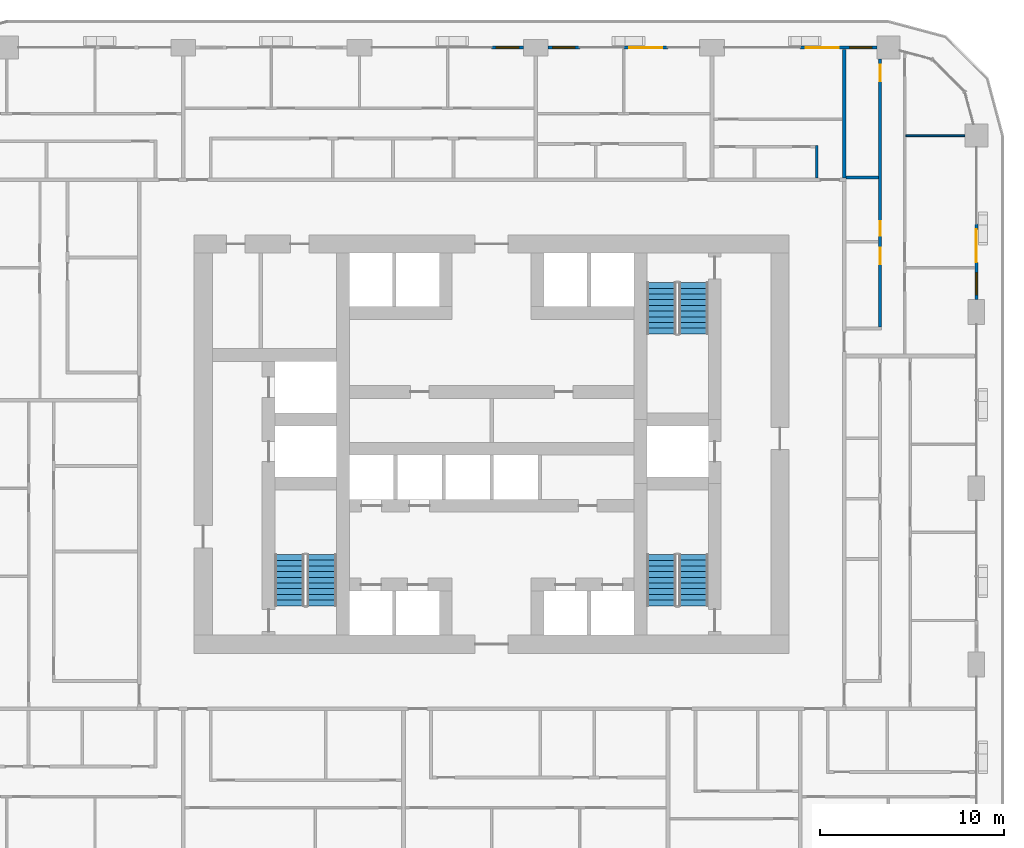
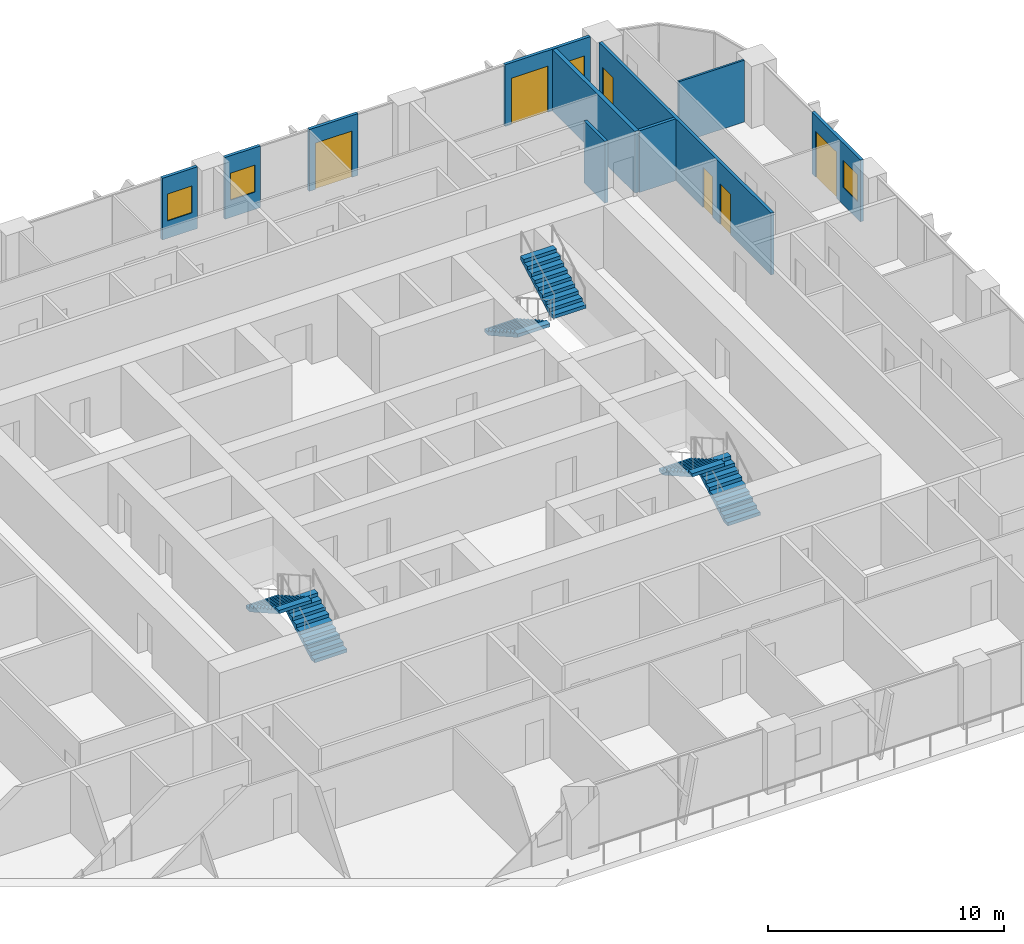
# One storey, part 15 of 21: 10 walls, 6 doors, 6 stair flights, 4 windows, 10 openings, 3 elements without a shape of their own.
"""IFC4 building model written with IfcOpenShell, lengths in metres."""

from ifc_helpers import new_model, si_unit, direction, frame, frame_2d, origin, place, context, subcontext, project, spatial, polyline, rectangle, outline, extrude, material, layer, layer_set, type_object, element, fill, aggregate, save


model = new_model("IFC4")

# Units and contexts
model_context = context("Model", 3, precision=1e-05, world=origin(), true_north=direction((0.0, 1.0)))
body_context = subcontext(model_context, "Body", "Model", "MODEL_VIEW")
ifc_project = project(units=[si_unit("LENGTHUNIT", "METRE"), si_unit("AREAUNIT", "SQUARE_METRE"), si_unit("VOLUMEUNIT", "CUBIC_METRE"), si_unit("PLANEANGLEUNIT", "RADIAN"), si_unit("MASSUNIT", "GRAM", prefix="KILO")], contexts=[model_context])

# Site, building, storey
site_placement = place(None, origin())
site = spatial("IfcSite", under=ifc_project, at=site_placement, CompositionType="ELEMENT")
building_placement = place(site_placement, origin())
building = spatial("IfcBuilding", under=site, at=building_placement, Name="Madar Terraces", CompositionType="ELEMENT")
storey_placement = place(building_placement, frame((0.0, 0.0, 29.39990234375)))
storey = spatial("IfcBuildingStorey", under=building, at=storey_placement, Name="L06", CompositionType="ELEMENT", Elevation=29.39990234375)

# Wall, openings, door, window
ifc_material_1 = material(Name="Aluminium composite panel, black, over insulated backing", Category="aluminium")
ifc_layer_1 = layer(ifc_material_1, 0.14990234375)
ifc_layer_set_1 = layer_set([ifc_layer_1], Name="Facade bay panel 150")
wall_type_1 = type_object("IfcWallType", Name="Facade bay panel 150", PredefinedType="SOLIDWALL", material=ifc_layer_set_1)
wall_1_placement = place(storey_placement, frame((57.60009765625, 34.27490234375, 0.0), z_axis=(0.0, 0.0, 1.0), x_axis=(0.0, 1.0, 0.0)))
wall_1 = element("IfcWall", 1, at=wall_1_placement, inside=storey, type_object=wall_type_1, Name="Facade bay panel", PredefinedType="SOLIDWALL", context=body_context, shape_type="SweptSolid", body=[
    extrude(rectangle(XDim=4.125, YDim=0.14990234375, at=frame_2d((2.0625, 0.0))), origin(), (0.0, 0.0, 1.0), 3.2001953125),
])
opening_1_placement = place(wall_1_placement, frame((0.262451171875, 0.0, 0.89990234375)))
opening_1 = element("IfcOpeningElement", 2, at=opening_1_placement, cuts=wall_1, Name="Opening W1", PredefinedType="OPENING", context=body_context, shape_type="SweptSolid", body=[
    extrude(rectangle(XDim=1.199951171875, YDim=1.39990234375, at=frame_2d((0.60009765625, 0.699951171875))), frame((0.0, 0.0849609375, 0.0), z_axis=(0.0, -1.0, 0.0), x_axis=(1.0, 0.0, 0.0)), (0.0, 0.0, 1.0), 0.169921875),
])
opening_2_placement = place(wall_1_placement, frame((2.02490234375, 0.0, 0.0)))
opening_2 = element("IfcOpeningElement", 3, at=opening_2_placement, cuts=wall_1, Name="Opening ED1", PredefinedType="OPENING", context=body_context, shape_type="SweptSolid", body=[
    extrude(rectangle(XDim=1.800048828125, YDim=2.39990234375, at=frame_2d((0.89990234375, 1.199951171875))), frame((0.0, 0.0849609375, 0.0), z_axis=(0.0, -1.0, 0.0), x_axis=(1.0, 0.0, 0.0)), (0.0, 0.0, 1.0), 0.169921875),
])
ifc_material_2 = material(Name="Glass, clear, with black aluminium frame", Category="aluminium")
door_type_1 = type_object("IfcDoorType", Name="Balcony and terrace sliding door 1800 x 2400", OperationType="SLIDING_TO_LEFT", PredefinedType="DOOR", material=ifc_material_2)
door_1_placement = place(opening_2_placement, origin())
door_1 = element("IfcDoor", 4, at=door_1_placement, inside=storey, type_object=door_type_1, Name="Balcony door", OperationType="SLIDING_TO_RIGHT", OverallHeight=2.39990234375, OverallWidth=1.800048828125, PredefinedType="DOOR", context=body_context, shape_type="SweptSolid", body=[
    extrude(rectangle(XDim=1.800048828125, YDim=2.39990234375, at=frame_2d((0.89990234375, 1.199951171875))), frame((0.0, 0.02490234375, 0.0), z_axis=(0.0, -1.0, 0.0), x_axis=(1.0, 0.0, 0.0)), (0.0, 0.0, 1.0), 0.050048828125),
])
fill(opening_2, door_1)
ifc_material_3 = material(Name="Glass, clear, with black aluminium frame", Category="aluminium")
window_type = type_object("IfcWindowType", Name="Vent window 1200 x 1400", PartitioningType="SINGLE_PANEL", PredefinedType="WINDOW", material=ifc_material_3)
window_1_placement = place(opening_1_placement, origin())
window_1 = element("IfcWindow", 5, at=window_1_placement, inside=storey, type_object=window_type, Name="Operable vent window", OverallHeight=1.39990234375, OverallWidth=1.199951171875, PartitioningType="SINGLE_PANEL", PredefinedType="WINDOW", context=body_context, shape_type="SweptSolid", body=[
    extrude(rectangle(XDim=1.199951171875, YDim=1.39990234375, at=frame_2d((0.60009765625, 0.699951171875))), frame((0.0, 0.030029296875, 0.0), z_axis=(0.0, -1.0, 0.0), x_axis=(1.0, 0.0, 0.0)), (0.0, 0.0, 1.0), 0.06005859375),
])
fill(opening_1, window_1)

wall_2_placement = place(storey_placement, frame((52.175048828125, 48.0, 0.0), z_axis=(0.0, 0.0, 1.0), x_axis=(-1.0, 0.0, 0.0)))
wall_2 = element("IfcWall", 6, at=wall_2_placement, inside=storey, type_object=wall_type_1, Name="Facade bay panel", PredefinedType="SOLIDWALL", context=body_context, shape_type="SweptSolid", body=[
    extrude(rectangle(XDim=4.175048828125, YDim=0.14990234375, at=frame_2d((2.08740234375, 0.0))), origin(), (0.0, 0.0, 1.0), 3.2001953125),
])
opening_3_placement = place(wall_2_placement, frame((0.28759765625, 0.0, 0.89990234375)))
opening_3 = element("IfcOpeningElement", 7, at=opening_3_placement, cuts=wall_2, Name="Opening W1", PredefinedType="OPENING", context=body_context, shape_type="SweptSolid", body=[
    extrude(rectangle(XDim=1.199951171875, YDim=1.39990234375, at=frame_2d((0.60009765625, 0.699951171875))), frame((0.0, 0.0849609375, 0.0), z_axis=(0.0, -1.0, 0.0), x_axis=(1.0, 0.0, 0.0)), (0.0, 0.0, 1.0), 0.169921875),
])
opening_4_placement = place(wall_2_placement, frame((2.074951171875, 0.0, 0.0)))
opening_4 = element("IfcOpeningElement", 8, at=opening_4_placement, cuts=wall_2, Name="Opening ED1", PredefinedType="OPENING", context=body_context, shape_type="SweptSolid", body=[
    extrude(rectangle(XDim=1.800048828125, YDim=2.39990234375, at=frame_2d((0.89990234375, 1.199951171875))), frame((0.0, 0.0849609375, 0.0), z_axis=(0.0, -1.0, 0.0), x_axis=(1.0, 0.0, 0.0)), (0.0, 0.0, 1.0), 0.169921875),
])
door_2_placement = place(opening_4_placement, origin())
door_2 = element("IfcDoor", 9, at=door_2_placement, inside=storey, type_object=door_type_1, Name="Balcony door", OperationType="SLIDING_TO_LEFT", OverallHeight=2.39990234375, OverallWidth=1.800048828125, PredefinedType="DOOR", context=body_context, shape_type="SweptSolid", body=[
    extrude(rectangle(XDim=1.800048828125, YDim=2.39990234375, at=frame_2d((0.89990234375, 1.199951171875))), frame((0.0, 0.02490234375, 0.0), z_axis=(0.0, -1.0, 0.0), x_axis=(1.0, 0.0, 0.0)), (0.0, 0.0, 1.0), 0.050048828125),
])
fill(opening_4, door_2)
window_2_placement = place(opening_3_placement, origin())
window_2 = element("IfcWindow", 10, at=window_2_placement, inside=storey, type_object=window_type, Name="Operable vent window", OverallHeight=1.39990234375, OverallWidth=1.199951171875, PartitioningType="SINGLE_PANEL", PredefinedType="WINDOW", context=body_context, shape_type="SweptSolid", body=[
    extrude(rectangle(XDim=1.199951171875, YDim=1.39990234375, at=frame_2d((0.60009765625, 0.699951171875))), frame((0.0, 0.030029296875, 0.0), z_axis=(0.0, -1.0, 0.0), x_axis=(1.0, 0.0, 0.0)), (0.0, 0.0, 1.0), 0.06005859375),
])
fill(opening_3, window_2)

# Wall, opening, door
wall_3_placement = place(storey_placement, frame((40.800048828125, 48.0, 0.0), z_axis=(0.0, 0.0, 1.0), x_axis=(-1.0, 0.0, 0.0)))
wall_3 = element("IfcWall", 11, at=wall_3_placement, inside=storey, type_object=wall_type_1, Name="Facade bay panel", PredefinedType="SOLIDWALL", context=body_context, shape_type="SweptSolid", body=[
    extrude(rectangle(XDim=2.400146484375, YDim=0.14990234375, at=frame_2d((1.2001953125, 0.0))), origin(), (0.0, 0.0, 1.0), 3.2001953125),
])
opening_5_placement = place(wall_3_placement, frame((0.300048828125, 0.0, 0.0)))
opening_5 = element("IfcOpeningElement", 12, at=opening_5_placement, cuts=wall_3, Name="Opening ED1", PredefinedType="OPENING", context=body_context, shape_type="SweptSolid", body=[
    extrude(rectangle(XDim=1.800048828125, YDim=2.39990234375, at=frame_2d((0.89990234375, 1.199951171875))), frame((0.0, 0.0849609375, 0.0), z_axis=(0.0, -1.0, 0.0), x_axis=(1.0, 0.0, 0.0)), (0.0, 0.0, 1.0), 0.169921875),
])
door_3_placement = place(opening_5_placement, origin())
door_3 = element("IfcDoor", 13, at=door_3_placement, inside=storey, type_object=door_type_1, Name="Balcony door", OperationType="SLIDING_TO_RIGHT", OverallHeight=2.39990234375, OverallWidth=1.800048828125, PredefinedType="DOOR", context=body_context, shape_type="SweptSolid", body=[
    extrude(rectangle(XDim=1.800048828125, YDim=2.39990234375, at=frame_2d((0.89990234375, 1.199951171875))), frame((0.0, 0.02490234375, 0.0), z_axis=(0.0, -1.0, 0.0), x_axis=(1.0, 0.0, 0.0)), (0.0, 0.0, 1.0), 0.050048828125),
])
fill(opening_5, door_3)

# Wall, opening, window
wall_4_placement = place(storey_placement, frame((36.0, 48.0, 0.0), z_axis=(0.0, 0.0, 1.0), x_axis=(-1.0, 0.0, 0.0)))
wall_4 = element("IfcWall", 14, at=wall_4_placement, inside=storey, type_object=wall_type_1, Name="Facade bay panel", PredefinedType="SOLIDWALL", context=body_context, shape_type="SweptSolid", body=[
    extrude(rectangle(XDim=1.72509765625, YDim=0.14990234375, at=frame_2d((0.862548828125, 0.0))), origin(), (0.0, 0.0, 1.0), 3.2001953125),
])
opening_6_placement = place(wall_4_placement, frame((0.262451171875, 0.0, 0.89990234375)))
opening_6 = element("IfcOpeningElement", 15, at=opening_6_placement, cuts=wall_4, Name="Opening W1", PredefinedType="OPENING", context=body_context, shape_type="SweptSolid", body=[
    extrude(rectangle(XDim=1.199951171875, YDim=1.39990234375, at=frame_2d((0.60009765625, 0.699951171875))), frame((0.0, 0.0849609375, 0.0), z_axis=(0.0, -1.0, 0.0), x_axis=(1.0, 0.0, 0.0)), (0.0, 0.0, 1.0), 0.169921875),
])
window_3_placement = place(opening_6_placement, origin())
window_3 = element("IfcWindow", 16, at=window_3_placement, inside=storey, type_object=window_type, Name="Operable vent window", OverallHeight=1.39990234375, OverallWidth=1.199951171875, PartitioningType="SINGLE_PANEL", PredefinedType="WINDOW", context=body_context, shape_type="SweptSolid", body=[
    extrude(rectangle(XDim=1.199951171875, YDim=1.39990234375, at=frame_2d((0.60009765625, 0.699951171875))), frame((0.0, 0.030029296875, 0.0), z_axis=(0.0, -1.0, 0.0), x_axis=(1.0, 0.0, 0.0)), (0.0, 0.0, 1.0), 0.06005859375),
])
fill(opening_6, window_3)

wall_5_placement = place(storey_placement, frame((32.925048828125, 48.0, 0.0), z_axis=(0.0, 0.0, 1.0), x_axis=(-1.0, 0.0, 0.0)))
wall_5 = element("IfcWall", 17, at=wall_5_placement, inside=storey, type_object=wall_type_1, Name="Facade bay panel", PredefinedType="SOLIDWALL", context=body_context, shape_type="SweptSolid", body=[
    extrude(rectangle(XDim=1.72509765625, YDim=0.14990234375, at=frame_2d((0.862548828125, 0.0))), origin(), (0.0, 0.0, 1.0), 3.2001953125),
])
opening_7_placement = place(wall_5_placement, frame((0.262451171875, 0.0, 0.89990234375)))
opening_7 = element("IfcOpeningElement", 18, at=opening_7_placement, cuts=wall_5, Name="Opening W1", PredefinedType="OPENING", context=body_context, shape_type="SweptSolid", body=[
    extrude(rectangle(XDim=1.199951171875, YDim=1.39990234375, at=frame_2d((0.60009765625, 0.699951171875))), frame((0.0, 0.0849609375, 0.0), z_axis=(0.0, -1.0, 0.0), x_axis=(1.0, 0.0, 0.0)), (0.0, 0.0, 1.0), 0.169921875),
])
window_4_placement = place(opening_7_placement, origin())
window_4 = element("IfcWindow", 19, at=window_4_placement, inside=storey, type_object=window_type, Name="Operable vent window", OverallHeight=1.39990234375, OverallWidth=1.199951171875, PartitioningType="SINGLE_PANEL", PredefinedType="WINDOW", context=body_context, shape_type="SweptSolid", body=[
    extrude(rectangle(XDim=1.199951171875, YDim=1.39990234375, at=frame_2d((0.60009765625, 0.699951171875))), frame((0.0, 0.030029296875, 0.0), z_axis=(0.0, -1.0, 0.0), x_axis=(1.0, 0.0, 0.0)), (0.0, 0.0, 1.0), 0.06005859375),
])
fill(opening_7, window_4)

# Walls
ifc_material_4 = material(Name="Gypsum board on steel studs", Category="steel")
ifc_layer_2 = layer(ifc_material_4, 0.10009765625)
ifc_layer_set_2 = layer_set([ifc_layer_2], Name="Flat partition 100")
wall_type_2 = type_object("IfcWallType", Name="Flat partition 100", PredefinedType="PARTITIONING", material=ifc_layer_set_2)
wall_6_placement = place(storey_placement, frame((53.75, 43.199951171875, 0.0), z_axis=(0.0, 0.0, 1.0), x_axis=(1.0, 0.0, 0.0)))
element("IfcWall", 20, at=wall_6_placement, inside=storey, type_object=wall_type_2, Name="Flat partition 100", PredefinedType="PARTITIONING", context=body_context, shape_type="SweptSolid", body=[
    extrude(rectangle(XDim=3.22509765625, YDim=0.10009765625, at=frame_2d((1.612548828125, 0.0))), origin(), (0.0, 0.0, 1.0), 3.2001953125),
])
ifc_material_5 = material(Name="Lightweight blockwork", Category="masonry")
ifc_layer_3 = layer(ifc_material_5, 0.199951171875)
ifc_layer_set_3 = layer_set([ifc_layer_3], Name="Flat party and entrance wall 200")
wall_type_3 = type_object("IfcWallType", Name="Flat party and entrance wall 200", PredefinedType="PARTITIONING", material=ifc_layer_set_3)
wall_7_placement = place(storey_placement, frame((50.39990234375, 40.89990234375, 0.0), z_axis=(0.0, 0.0, 1.0), x_axis=(0.0, 1.0, 0.0)))
element("IfcWall", 21, at=wall_7_placement, inside=storey, type_object=wall_type_3, Name="Flat party and entrance wall 200", PredefinedType="PARTITIONING", context=body_context, shape_type="SweptSolid", body=[
    extrude(rectangle(XDim=7.0, YDim=0.199951171875, at=frame_2d((3.5, 0.0))), origin(), (0.0, 0.0, 1.0), 3.2001953125),
])
ifc_material_6 = material(Name="Lightweight blockwork", Category="masonry")
ifc_layer_4 = layer(ifc_material_6, 0.14990234375)
ifc_layer_set_4 = layer_set([ifc_layer_4], Name="Flat wet-room partition 150")
wall_type_4 = type_object("IfcWallType", Name="Flat wet-room partition 150", PredefinedType="PARTITIONING", material=ifc_layer_set_4)
wall_8_placement = place(storey_placement, frame((50.5, 40.919189453125, 0.0), z_axis=(0.0, 0.0, 1.0), x_axis=(1.0, 0.0, 0.0)))
element("IfcWall", 22, at=wall_8_placement, inside=storey, type_object=wall_type_4, Name="Flat wet-room partition 150", PredefinedType="PARTITIONING", context=body_context, shape_type="SweptSolid", body=[
    extrude(rectangle(XDim=1.77490234375, YDim=0.14990234375, at=frame_2d((0.887451171875, 0.0))), origin(), (0.0, 0.0, 1.0), 3.2001953125),
])

# Wall, openings, doors
wall_9_placement = place(storey_placement, frame((52.35009765625, 32.77490234375, 0.0), z_axis=(0.0, 0.0, 1.0), x_axis=(0.0, 1.0, 0.0)))
wall_9 = element("IfcWall", 23, at=wall_9_placement, inside=storey, type_object=wall_type_4, Name="Flat wet-room partition 150", PredefinedType="PARTITIONING", context=body_context, shape_type="SweptSolid", body=[
    extrude(rectangle(XDim=14.60009765625, YDim=0.14990234375, at=frame_2d((7.300048828125, 0.0))), origin(), (0.0, 0.0, 1.0), 3.2001953125),
])
opening_8_placement = place(wall_9_placement, frame((3.4287109375, 0.0, 0.0)))
opening_8 = element("IfcOpeningElement", 24, at=opening_8_placement, cuts=wall_9, Name="Opening D5", PredefinedType="OPENING", context=body_context, shape_type="SweptSolid", body=[
    extrude(rectangle(XDim=0.89990234375, YDim=2.10009765625, at=frame_2d((0.449951171875, 1.050048828125))), frame((0.0, 0.0849609375, 0.0), z_axis=(0.0, -1.0, 0.0), x_axis=(1.0, 0.0, 0.0)), (0.0, 0.0, 1.0), 0.169921875),
])
opening_9_placement = place(wall_9_placement, frame((4.978759765625, 0.0, 0.0)))
opening_9 = element("IfcOpeningElement", 25, at=opening_9_placement, cuts=wall_9, Name="Opening D4", PredefinedType="OPENING", context=body_context, shape_type="SweptSolid", body=[
    extrude(rectangle(XDim=0.800048828125, YDim=2.10009765625, at=frame_2d((0.39990234375, 1.050048828125))), frame((0.0, 0.0849609375, 0.0), z_axis=(0.0, -1.0, 0.0), x_axis=(1.0, 0.0, 0.0)), (0.0, 0.0, 1.0), 0.169921875),
])
opening_10_placement = place(wall_9_placement, frame((13.39990234375, 0.0, 0.0)))
opening_10 = element("IfcOpeningElement", 26, at=opening_10_placement, cuts=wall_9, Name="Opening D2", PredefinedType="OPENING", context=body_context, shape_type="SweptSolid", body=[
    extrude(rectangle(XDim=0.89990234375, YDim=2.10009765625, at=frame_2d((0.449951171875, 1.050048828125))), frame((0.0, 0.0849609375, 0.0), z_axis=(0.0, -1.0, 0.0), x_axis=(1.0, 0.0, 0.0)), (0.0, 0.0, 1.0), 0.169921875),
])
ifc_material_7 = material(Name="Timber door leaf", Category="wood")
door_type_2 = type_object("IfcDoorType", Name="Flat accessible bathroom door 900", OperationType="NOTDEFINED", PredefinedType="DOOR", material=ifc_material_7)
door_4_placement = place(opening_8_placement, origin())
door_4 = element("IfcDoor", 27, at=door_4_placement, inside=storey, type_object=door_type_2, Name="Flat accessible bathroom door 900", OperationType="SINGLE_SWING_RIGHT", OverallHeight=2.10009765625, OverallWidth=0.89990234375, PredefinedType="DOOR", context=body_context, shape_type="SweptSolid", body=[
    extrude(rectangle(XDim=0.89990234375, YDim=2.10009765625, at=frame_2d((0.449951171875, 1.050048828125))), frame((0.0, 0.02490234375, 0.0), z_axis=(0.0, -1.0, 0.0), x_axis=(1.0, 0.0, 0.0)), (0.0, 0.0, 1.0), 0.050048828125),
])
fill(opening_8, door_4)
ifc_material_8 = material(Name="Timber door leaf", Category="wood")
door_type_3 = type_object("IfcDoorType", Name="Flat bathroom door 800", OperationType="NOTDEFINED", PredefinedType="DOOR", material=ifc_material_8)
door_5_placement = place(opening_9_placement, origin())
door_5 = element("IfcDoor", 28, at=door_5_placement, inside=storey, type_object=door_type_3, Name="Flat bathroom door 800", OperationType="SINGLE_SWING_LEFT", OverallHeight=2.10009765625, OverallWidth=0.800048828125, PredefinedType="DOOR", context=body_context, shape_type="SweptSolid", body=[
    extrude(rectangle(XDim=0.800048828125, YDim=2.10009765625, at=frame_2d((0.39990234375, 1.050048828125))), frame((0.0, 0.02490234375, 0.0), z_axis=(0.0, -1.0, 0.0), x_axis=(1.0, 0.0, 0.0)), (0.0, 0.0, 1.0), 0.050048828125),
])
fill(opening_9, door_5)
ifc_material_9 = material(Name="Timber door leaf", Category="wood")
door_type_4 = type_object("IfcDoorType", Name="Flat room door 900", OperationType="NOTDEFINED", PredefinedType="DOOR", material=ifc_material_9)
door_6_placement = place(opening_10_placement, origin())
door_6 = element("IfcDoor", 29, at=door_6_placement, inside=storey, type_object=door_type_4, Name="Flat room door 900", OperationType="SINGLE_SWING_RIGHT", OverallHeight=2.10009765625, OverallWidth=0.89990234375, PredefinedType="DOOR", context=body_context, shape_type="SweptSolid", body=[
    extrude(rectangle(XDim=0.89990234375, YDim=2.10009765625, at=frame_2d((0.449951171875, 1.050048828125))), frame((0.0, 0.02490234375, 0.0), z_axis=(0.0, -1.0, 0.0), x_axis=(1.0, 0.0, 0.0)), (0.0, 0.0, 1.0), 0.050048828125),
])
fill(opening_10, door_6)

# Wall
wall_10_placement = place(storey_placement, frame((48.89990234375, 40.89990234375, 0.0), z_axis=(0.0, 0.0, 1.0), x_axis=(0.0, 1.0, 0.0)))
element("IfcWall", 30, at=wall_10_placement, inside=storey, type_object=wall_type_4, Name="Flat wet-room partition 150", PredefinedType="PARTITIONING", context=body_context, shape_type="SweptSolid", body=[
    extrude(rectangle(XDim=1.775146484375, YDim=0.14990234375, at=frame_2d((0.8876953125, 0.0))), origin(), (0.0, 0.0, 1.0), 3.2001953125),
])

# Stair, stair flights
ifc_material_10 = material(Name="Concrete C50/60", Category="concrete")
stair_type_1 = type_object("IfcStairType", Name="Stair ST1 protected exit", PredefinedType="HALF_TURN_STAIR", material=ifc_material_10)
stair_1_placement = place(storey_placement, origin())
stair_1 = element("IfcStair", 31, at=stair_1_placement, inside=storey, type_object=stair_type_1, Name="L06 Protected Exit Stair ST1", PredefinedType="HALF_TURN_STAIR")
ifc_material_11 = material(Name="Concrete C50/60", Category="concrete")
stair_flight_type_1 = type_object("IfcStairFlightType", Name="Stair flight ST1-F4, 1600 wide, 10 risers", PredefinedType="STRAIGHT", material=ifc_material_11)
stair_flight_1_placement = place(storey_placement, frame((21.949951171875, 17.60009765625, 0.0), z_axis=(0.0, 0.0, 1.0), x_axis=(0.0, 1.0, 0.0)))
stair_flight_1 = element("IfcStairFlight", 32, at=stair_flight_1_placement, type_object=stair_flight_type_1, Name="ST1 flight 1", NumberOfRisers=10, NumberOfTreads=9, PredefinedType="STRAIGHT", RiserHeight=0.175, TreadLength=0.31, context=body_context, shape_type="SweptSolid", body=[
    extrude(outline(polyline([(0.0, 0.0), (0.0, 0.175048828125), (0.31005859375, 0.175048828125), (0.31005859375, 0.35009765625), (0.6201171875, 0.35009765625), (0.6201171875, 0.52490234375), (0.929931640625, 0.52490234375), (0.929931640625, 0.699951171875), (1.239990234375, 0.699951171875), (1.239990234375, 0.875), (1.550048828125, 0.875), (1.550048828125, 1.050048828125), (1.860107421875, 1.050048828125), (1.860107421875, 1.22509765625), (2.169921875, 1.22509765625), (2.169921875, 1.39990234375), (2.47998046875, 1.39990234375), (2.47998046875, 1.574951171875), (2.7900390625, 1.574951171875), (2.7900390625, 1.75), (2.7900390625, 1.40283203125), (0.304931640625, 0.0), (0.0, 0.0)])), frame((0.0, 0.800048828125, 0.0), z_axis=(0.0, -1.0, 0.0), x_axis=(1.0, 0.0, 0.0)), (0.0, 0.0, 1.0), 1.60009765625),
])
stair_flight_2_placement = place(storey_placement, frame((20.199951171875, 20.389892578125, 1.75), z_axis=(0.0, 0.0, 1.0), x_axis=(0.0, -1.0, 0.0)))
stair_flight_2 = element("IfcStairFlight", 33, at=stair_flight_2_placement, type_object=stair_flight_type_1, Name="ST1 flight 2", NumberOfRisers=10, NumberOfTreads=9, PredefinedType="STRAIGHT", RiserHeight=0.175, TreadLength=0.31, context=body_context, shape_type="SweptSolid", body=[
    extrude(outline(polyline([(0.0, 0.0), (0.0, 0.175048828125), (0.31005859375, 0.175048828125), (0.31005859375, 0.35009765625), (0.6201171875, 0.35009765625), (0.6201171875, 0.52490234375), (0.929931640625, 0.52490234375), (0.929931640625, 0.699951171875), (1.239990234375, 0.699951171875), (1.239990234375, 0.875), (1.550048828125, 0.875), (1.550048828125, 1.050048828125), (1.860107421875, 1.050048828125), (1.860107421875, 1.22509765625), (2.169921875, 1.22509765625), (2.169921875, 1.39990234375), (2.47998046875, 1.39990234375), (2.47998046875, 1.574951171875), (2.7900390625, 1.574951171875), (2.7900390625, 1.75), (2.7900390625, 1.40283203125), (0.304931640625, 0.0), (0.0, 0.0)])), frame((0.0, 0.800048828125, 0.0), z_axis=(0.0, -1.0, 0.0), x_axis=(1.0, 0.0, 0.0)), (0.0, 0.0, 1.0), 1.60009765625),
])
aggregate(stair_1, [stair_flight_1, stair_flight_2])

ifc_material_12 = material(Name="Concrete C50/60", Category="concrete")
stair_type_2 = type_object("IfcStairType", Name="Stair ST2 protected exit", PredefinedType="HALF_TURN_STAIR", material=ifc_material_12)
stair_2_placement = place(storey_placement, origin())
stair_2 = element("IfcStair", 34, at=stair_2_placement, inside=storey, type_object=stair_type_2, Name="L06 Protected Exit Stair ST2", PredefinedType="HALF_TURN_STAIR")
ifc_material_13 = material(Name="Concrete C50/60", Category="concrete")
stair_flight_type_2 = type_object("IfcStairFlightType", Name="Stair flight ST2-F4, 1600 wide, 10 risers", PredefinedType="STRAIGHT", material=ifc_material_13)
stair_flight_3_placement = place(storey_placement, frame((40.449951171875, 35.199951171875, 0.0), z_axis=(0.0, 0.0, 1.0), x_axis=(0.0, -1.0, 0.0)))
stair_flight_3 = element("IfcStairFlight", 35, at=stair_flight_3_placement, type_object=stair_flight_type_2, Name="ST2 flight 1", NumberOfRisers=10, NumberOfTreads=9, PredefinedType="STRAIGHT", RiserHeight=0.175, TreadLength=0.31, context=body_context, shape_type="SweptSolid", body=[
    extrude(outline(polyline([(0.0, 0.0), (0.0, 0.175048828125), (0.31005859375, 0.175048828125), (0.31005859375, 0.35009765625), (0.6201171875, 0.35009765625), (0.6201171875, 0.52490234375), (0.929931640625, 0.52490234375), (0.929931640625, 0.699951171875), (1.239990234375, 0.699951171875), (1.239990234375, 0.875), (1.550048828125, 0.875), (1.550048828125, 1.050048828125), (1.860107421875, 1.050048828125), (1.860107421875, 1.22509765625), (2.169921875, 1.22509765625), (2.169921875, 1.39990234375), (2.47998046875, 1.39990234375), (2.47998046875, 1.574951171875), (2.7900390625, 1.574951171875), (2.7900390625, 1.75), (2.7900390625, 1.40283203125), (0.304931640625, 0.0), (0.0, 0.0)])), frame((0.0, 0.800048828125, 0.0), z_axis=(0.0, -1.0, 0.0), x_axis=(1.0, 0.0, 0.0)), (0.0, 0.0, 1.0), 1.60009765625),
])
stair_flight_4_placement = place(storey_placement, frame((42.199951171875, 32.409912109375, 1.75), z_axis=(0.0, 0.0, 1.0), x_axis=(0.0, 1.0, 0.0)))
stair_flight_4 = element("IfcStairFlight", 36, at=stair_flight_4_placement, type_object=stair_flight_type_2, Name="ST2 flight 2", NumberOfRisers=10, NumberOfTreads=9, PredefinedType="STRAIGHT", RiserHeight=0.175, TreadLength=0.31, context=body_context, shape_type="SweptSolid", body=[
    extrude(outline(polyline([(0.0, 0.0), (0.0, 0.175048828125), (0.31005859375, 0.175048828125), (0.31005859375, 0.35009765625), (0.6201171875, 0.35009765625), (0.6201171875, 0.52490234375), (0.929931640625, 0.52490234375), (0.929931640625, 0.699951171875), (1.239990234375, 0.699951171875), (1.239990234375, 0.875), (1.550048828125, 0.875), (1.550048828125, 1.050048828125), (1.860107421875, 1.050048828125), (1.860107421875, 1.22509765625), (2.169921875, 1.22509765625), (2.169921875, 1.39990234375), (2.47998046875, 1.39990234375), (2.47998046875, 1.574951171875), (2.7900390625, 1.574951171875), (2.7900390625, 1.75), (2.7900390625, 1.40283203125), (0.304931640625, 0.0), (0.0, 0.0)])), frame((0.0, 0.800048828125, 0.0), z_axis=(0.0, -1.0, 0.0), x_axis=(1.0, 0.0, 0.0)), (0.0, 0.0, 1.0), 1.60009765625),
])
aggregate(stair_2, [stair_flight_3, stair_flight_4])

ifc_material_14 = material(Name="Concrete C50/60", Category="concrete")
stair_type_3 = type_object("IfcStairType", Name="Stair ST3 protected exit", PredefinedType="HALF_TURN_STAIR", material=ifc_material_14)
stair_3_placement = place(storey_placement, origin())
stair_3 = element("IfcStair", 37, at=stair_3_placement, inside=storey, type_object=stair_type_3, Name="L06 Protected Exit Stair ST3", PredefinedType="HALF_TURN_STAIR")
ifc_material_15 = material(Name="Concrete C50/60", Category="concrete")
stair_flight_type_3 = type_object("IfcStairFlightType", Name="Stair flight ST3-F4, 1600 wide, 10 risers", PredefinedType="STRAIGHT", material=ifc_material_15)
stair_flight_5_placement = place(storey_placement, frame((42.199951171875, 17.60009765625, 0.0), z_axis=(0.0, 0.0, 1.0), x_axis=(0.0, 1.0, 0.0)))
stair_flight_5 = element("IfcStairFlight", 38, at=stair_flight_5_placement, type_object=stair_flight_type_3, Name="ST3 flight 1", NumberOfRisers=10, NumberOfTreads=9, PredefinedType="STRAIGHT", RiserHeight=0.175, TreadLength=0.31, context=body_context, shape_type="SweptSolid", body=[
    extrude(outline(polyline([(0.0, 0.0), (0.0, 0.175048828125), (0.31005859375, 0.175048828125), (0.31005859375, 0.35009765625), (0.6201171875, 0.35009765625), (0.6201171875, 0.52490234375), (0.929931640625, 0.52490234375), (0.929931640625, 0.699951171875), (1.239990234375, 0.699951171875), (1.239990234375, 0.875), (1.550048828125, 0.875), (1.550048828125, 1.050048828125), (1.860107421875, 1.050048828125), (1.860107421875, 1.22509765625), (2.169921875, 1.22509765625), (2.169921875, 1.39990234375), (2.47998046875, 1.39990234375), (2.47998046875, 1.574951171875), (2.7900390625, 1.574951171875), (2.7900390625, 1.75), (2.7900390625, 1.40283203125), (0.304931640625, 0.0), (0.0, 0.0)])), frame((0.0, 0.800048828125, 0.0), z_axis=(0.0, -1.0, 0.0), x_axis=(1.0, 0.0, 0.0)), (0.0, 0.0, 1.0), 1.60009765625),
])
stair_flight_6_placement = place(storey_placement, frame((40.449951171875, 20.389892578125, 1.75), z_axis=(0.0, 0.0, 1.0), x_axis=(0.0, -1.0, 0.0)))
stair_flight_6 = element("IfcStairFlight", 39, at=stair_flight_6_placement, type_object=stair_flight_type_3, Name="ST3 flight 2", NumberOfRisers=10, NumberOfTreads=9, PredefinedType="STRAIGHT", RiserHeight=0.175, TreadLength=0.31, context=body_context, shape_type="SweptSolid", body=[
    extrude(outline(polyline([(0.0, 0.0), (0.0, 0.175048828125), (0.31005859375, 0.175048828125), (0.31005859375, 0.35009765625), (0.6201171875, 0.35009765625), (0.6201171875, 0.52490234375), (0.929931640625, 0.52490234375), (0.929931640625, 0.699951171875), (1.239990234375, 0.699951171875), (1.239990234375, 0.875), (1.550048828125, 0.875), (1.550048828125, 1.050048828125), (1.860107421875, 1.050048828125), (1.860107421875, 1.22509765625), (2.169921875, 1.22509765625), (2.169921875, 1.39990234375), (2.47998046875, 1.39990234375), (2.47998046875, 1.574951171875), (2.7900390625, 1.574951171875), (2.7900390625, 1.75), (2.7900390625, 1.40283203125), (0.304931640625, 0.0), (0.0, 0.0)])), frame((0.0, 0.800048828125, 0.0), z_axis=(0.0, -1.0, 0.0), x_axis=(1.0, 0.0, 0.0)), (0.0, 0.0, 1.0), 1.60009765625),
])
aggregate(stair_3, [stair_flight_5, stair_flight_6])

save(model, "model.ifc")
